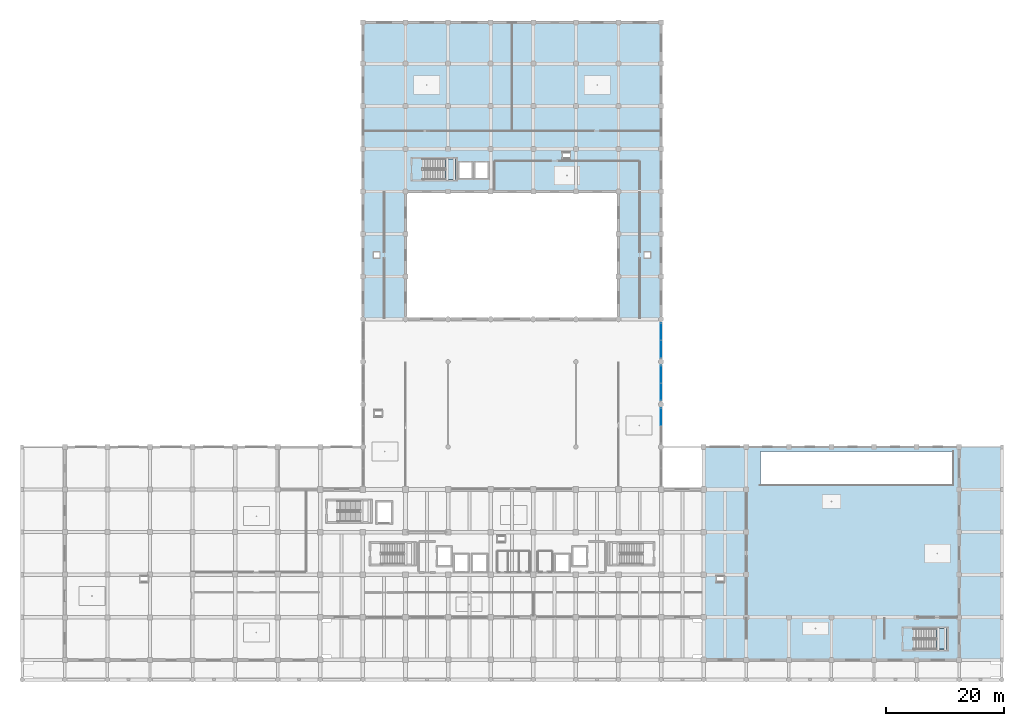
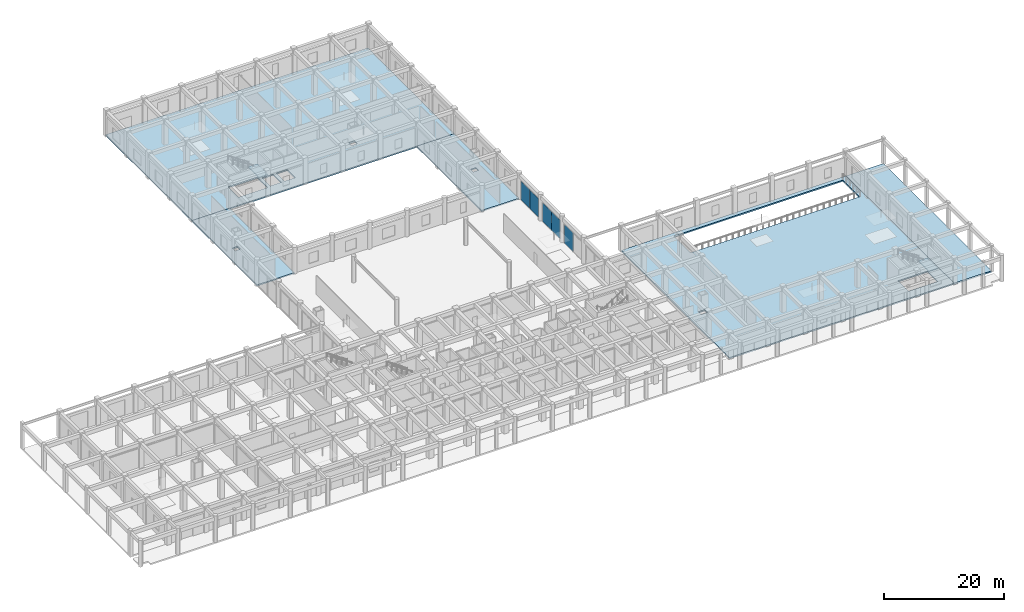
# One storey, part 24 of 56: 7 slabs, 5 plates, 5 elements without a shape of their own.
"""IFC4 building model written with IfcOpenShell, lengths in metres."""

from ifc_helpers import new_model, si_unit, direction, frame, origin, origin_2d, place, context, subcontext, project, spatial, polyline, rectangle, outline, extrude, material, layer, layer_set, type_object, element, aggregate, save


model = new_model("IFC4")

# Units and contexts
model_context = context("Model", 3, precision=1e-05, world=origin(), true_north=direction((0.0, 1.0)))
body_context = subcontext(model_context, "Body", "Model", "MODEL_VIEW")
ifc_project = project(units=[si_unit("LENGTHUNIT", "METRE"), si_unit("AREAUNIT", "SQUARE_METRE"), si_unit("VOLUMEUNIT", "CUBIC_METRE"), si_unit("PLANEANGLEUNIT", "RADIAN"), si_unit("MASSUNIT", "GRAM", prefix="KILO")], contexts=[model_context])

# Site, building, storey
site_placement = place(None, origin())
site = spatial("IfcSite", under=ifc_project, at=site_placement, CompositionType="ELEMENT")
building_placement = place(site_placement, origin())
building = spatial("IfcBuilding", under=site, at=building_placement, Name="Kazehaya Institute of Natural Sciences", CompositionType="ELEMENT")
storey_placement = place(building_placement, origin())
storey = spatial("IfcBuildingStorey", under=building, at=storey_placement, Name="L00", CompositionType="ELEMENT", Elevation=0.0)

# Curtain wall, plate
ifc_material_1 = material(Name="Aluminium alloy A6063S-T5", Category="aluminium")
curtain_wall_type = type_object("IfcCurtainWallType", Name="CW-SYS-01", PredefinedType="NOTDEFINED", material=ifc_material_1)
curtain_wall_1_placement = place(storey_placement, origin())
curtain_wall_1 = element("IfcCurtainWall", 1, at=curtain_wall_1_placement, inside=storey, type_object=curtain_wall_type, Name="L00 unitised curtain wall CW-L00-010", PredefinedType="NOTDEFINED")
ifc_material_2 = material(Name="Low-E double-glazed vision glass", Category="glass")
ifc_layer_1 = layer(ifc_material_2, 0.050048828125, Name="Low-E double-glazed vision glass", Category="glass")
ifc_layer_set_1 = layer_set([ifc_layer_1], Name="Low-E double-glazed vision glass")
plate_type_1 = type_object("IfcPlateType", Name="CWP-03", PredefinedType="CURTAIN_PANEL", material=ifc_layer_set_1)
plate_1_placement = place(storey_placement, frame((112.199951171875, 47.864990234375, 0.06005859375), z_axis=(0.0, 0.0, 1.0), x_axis=(0.0, -1.0, 0.0)))
plate_1 = element("IfcPlate", 2, at=plate_1_placement, type_object=plate_type_1, Name="CW01 panel 1.1", PredefinedType="CURTAIN_PANEL", context=body_context, shape_type="SweptSolid", body=[
    extrude(rectangle(XDim=2.8701171875, YDim=0.050048828125, at=origin_2d()), origin(), (0.0, 0.0, 1.0), 3.780029296875),
])
aggregate(curtain_wall_1, [plate_1])

# Curtain wall, plates
curtain_wall_2_placement = place(storey_placement, origin())
curtain_wall_2 = element("IfcCurtainWall", 3, at=curtain_wall_2_placement, inside=storey, type_object=curtain_wall_type, Name="L00 unitised curtain wall CW-L00-012", PredefinedType="NOTDEFINED")
ifc_layer_2 = layer(ifc_material_2, 0.06005859375, Name="Low-E double-glazed vision glass", Category="glass")
ifc_layer_set_2 = layer_set([ifc_layer_2], Name="Low-E double-glazed vision glass")
plate_type_2 = type_object("IfcPlateType", Name="CWP-04", PredefinedType="CURTAIN_PANEL", material=ifc_layer_set_2)
plate_2_placement = place(storey_placement, frame((112.199951171875, 55.06494140625, 0.06005859375), z_axis=(0.0, 0.0, 1.0), x_axis=(0.0, -1.0, 0.0)))
plate_2 = element("IfcPlate", 4, at=plate_2_placement, type_object=plate_type_2, Name="CW01 panel 1.1", PredefinedType="CURTAIN_PANEL", context=body_context, shape_type="SweptSolid", body=[
    extrude(rectangle(XDim=2.8701171875, YDim=0.06005859375, at=origin_2d()), origin(), (0.0, 0.0, 1.0), 3.780029296875),
])
plate_3_placement = place(storey_placement, frame((112.199951171875, 52.135009765625, 0.06005859375), z_axis=(0.0, 0.0, 1.0), x_axis=(0.0, -1.0, 0.0)))
plate_3 = element("IfcPlate", 5, at=plate_3_placement, type_object=plate_type_2, Name="CW01 panel 2.1", PredefinedType="CURTAIN_PANEL", context=body_context, shape_type="SweptSolid", body=[
    extrude(rectangle(XDim=2.8701171875, YDim=0.06005859375, at=origin_2d()), origin(), (0.0, 0.0, 1.0), 3.780029296875),
])
aggregate(curtain_wall_2, [plate_2, plate_3])

curtain_wall_3_placement = place(storey_placement, origin())
curtain_wall_3 = element("IfcCurtainWall", 6, at=curtain_wall_3_placement, inside=storey, type_object=curtain_wall_type, Name="L00 unitised curtain wall CW-L00-014", PredefinedType="NOTDEFINED")
ifc_material_3 = material(Name="Insulated bronze aluminium spandrel panel", Category="aluminium")
ifc_layer_3 = layer(ifc_material_3, 0.070068359375, Name="Insulated bronze aluminium spandrel panel", Category="aluminium")
ifc_layer_set_3 = layer_set([ifc_layer_3], Name="Insulated bronze aluminium spandrel panel")
plate_type_3 = type_object("IfcPlateType", Name="CWP-05", PredefinedType="CURTAIN_PANEL", material=ifc_layer_set_3)
plate_4_placement = place(storey_placement, frame((112.199951171875, 62.264892578125, 0.06005859375), z_axis=(0.0, 0.0, 1.0), x_axis=(0.0, -1.0, 0.0)))
plate_4 = element("IfcPlate", 7, at=plate_4_placement, type_object=plate_type_3, Name="CW01 panel 1.1", PredefinedType="CURTAIN_PANEL", context=body_context, shape_type="SweptSolid", body=[
    extrude(rectangle(XDim=2.8701171875, YDim=0.070068359375, at=origin_2d()), origin(), (0.0, 0.0, 1.0), 3.780029296875),
])
plate_5_placement = place(storey_placement, frame((112.199951171875, 59.3349609375, 0.06005859375), z_axis=(0.0, 0.0, 1.0), x_axis=(0.0, -1.0, 0.0)))
plate_5 = element("IfcPlate", 8, at=plate_5_placement, type_object=plate_type_3, Name="CW01 panel 2.1", PredefinedType="CURTAIN_PANEL", context=body_context, shape_type="SweptSolid", body=[
    extrude(rectangle(XDim=2.8701171875, YDim=0.070068359375, at=origin_2d()), origin(), (0.0, 0.0, 1.0), 3.780029296875),
])
aggregate(curtain_wall_3, [plate_4, plate_5])

# Slabs
ifc_material_4 = material(Name="Concrete Fc36", Category="concrete")
ifc_layer_4 = layer(ifc_material_4, 0.260009765625, Name="Concrete Fc36", Category="concrete")
ifc_layer_set_4 = layer_set([ifc_layer_4], Name="Concrete Fc36")
slab_type_1 = type_object("IfcSlabType", Name="SL-FLR-260", PredefinedType="FLOOR", material=ifc_layer_set_4)
slab_1_placement = place(storey_placement, frame((0.0, 0.0, -0.260009765625)))
element("IfcSlab", 9, at=slab_1_placement, inside=storey, type_object=slab_type_1, Name="L00 structural slab L00-VOL5W", PredefinedType="FLOOR", context=body_context, shape_type="SweptSolid", body=[
    extrude(outline(polyline([(61.800048828125, 64.39990234375), (69.0, 64.39990234375), (69.0, 86.0), (61.800048828125, 86.0), (61.800048828125, 64.39990234375)]), holes=[polyline([(63.60009765625, 74.800048828125), (64.60009765625, 74.800048828125), (64.60009765625, 75.699951171875), (63.60009765625, 75.699951171875), (63.60009765625, 74.800048828125)])]), origin(), (0.0, 0.0, 1.0), 0.260009765625),
])
slab_2_placement = place(storey_placement, frame((0.0, 0.0, -0.260009765625)))
element("IfcSlab", 10, at=slab_2_placement, inside=storey, type_object=slab_type_1, Name="L00 structural slab L00-VOL5E", PredefinedType="FLOOR", context=body_context, shape_type="SweptSolid", body=[
    extrude(outline(polyline([(105.0, 64.39990234375), (112.199951171875, 64.39990234375), (112.199951171875, 86.0), (105.0, 86.0), (105.0, 64.39990234375)]), holes=[polyline([(109.39990234375, 74.800048828125), (110.39990234375, 74.800048828125), (110.39990234375, 75.699951171875), (109.39990234375, 75.699951171875), (109.39990234375, 74.800048828125)])]), origin(), (0.0, 0.0, 1.0), 0.260009765625),
])
slab_3_placement = place(storey_placement, frame((0.0, 0.0, -0.260009765625)))
element("IfcSlab", 11, at=slab_3_placement, inside=storey, type_object=slab_type_1, Name="L00 structural slab L00-VOL5N", PredefinedType="FLOOR", context=body_context, shape_type="SweptSolid", body=[
    extrude(outline(polyline([(61.800048828125, 86.0), (112.199951171875, 86.0), (112.199951171875, 114.800048828125), (61.800048828125, 114.800048828125), (61.800048828125, 86.0)]), holes=[polyline([(95.60009765625, 91.60009765625), (96.800048828125, 91.60009765625), (96.800048828125, 92.5), (95.60009765625, 92.5), (95.60009765625, 91.60009765625)]), polyline([(71.860107421875, 88.0), (77.5, 88.0), (77.5, 91.47998046875), (71.860107421875, 91.47998046875), (71.860107421875, 88.0)]), polyline([(78.10009765625, 88.199951171875), (80.199951171875, 88.199951171875), (80.199951171875, 90.89990234375), (78.10009765625, 90.89990234375), (78.10009765625, 88.199951171875)]), polyline([(80.800048828125, 88.199951171875), (82.89990234375, 88.199951171875), (82.89990234375, 90.89990234375), (80.800048828125, 90.89990234375), (80.800048828125, 88.199951171875)])]), origin(), (0.0, 0.0, 1.0), 0.260009765625),
])
ifc_layer_5 = layer(ifc_material_4, 0.280029296875, Name="Concrete Fc36", Category="concrete")
ifc_layer_set_5 = layer_set([ifc_layer_5], Name="Concrete Fc36")
slab_type_2 = type_object("IfcSlabType", Name="SL-FLR-280", PredefinedType="FLOOR", material=ifc_layer_set_5)
slab_4_placement = place(storey_placement, frame((0.0, 0.0, -0.280029296875)))
element("IfcSlab", 12, at=slab_4_placement, inside=storey, type_object=slab_type_2, Name="L00 structural slab L00-VOL1", PredefinedType="FLOOR", context=body_context, shape_type="SweptSolid", body=[
    extrude(outline(polyline([(119.39990234375, 6.800048828125), (162.60009765625, 6.800048828125), (162.60009765625, 42.800048828125), (119.39990234375, 42.800048828125), (119.39990234375, 6.800048828125)]), holes=[polyline([(121.60009765625, 20.0), (122.800048828125, 20.0), (122.800048828125, 20.89990234375), (121.60009765625, 20.89990234375), (121.60009765625, 20.0)]), polyline([(154.860107421875, 8.60009765625), (160.5, 8.60009765625), (160.5, 12.080078125), (154.860107421875, 12.080078125), (154.860107421875, 8.60009765625)]), polyline([(129.0, 36.39990234375), (161.5, 36.39990234375), (161.5, 42.0), (129.0, 42.0), (129.0, 36.39990234375)])]), origin(), (0.0, 0.0, 1.0), 0.280029296875),
])
ifc_layer_6 = layer(ifc_material_4, 0.300048828125, Name="Concrete Fc36", Category="concrete")
ifc_layer_set_6 = layer_set([ifc_layer_6], Name="Concrete Fc36")
slab_type_3 = type_object("IfcSlabType", Name="SL-FLR-300", PredefinedType="FLOOR", material=ifc_layer_set_6)
slab_5_placement = place(storey_placement, frame((0.0, 0.0, -0.300048828125)))
element("IfcSlab", 13, at=slab_5_placement, inside=storey, type_object=slab_type_3, Name="L00 outdoor terrace slab EXT-L00-COLE", PredefinedType="FLOOR", context=body_context, shape_type="SweptSolid", body=[
    extrude(outline(polyline([(162.60009765625, 6.800048828125), (169.800048828125, 6.800048828125), (169.800048828125, 42.800048828125), (162.60009765625, 42.800048828125), (162.60009765625, 6.800048828125)])), origin(), (0.0, 0.0, 1.0), 0.300048828125),
])

# Stair, slab
stair_type = type_object("IfcStairType", Name="STR-DOG-5400", PredefinedType="HALF_TURN_STAIR", material=ifc_material_4)
stair_1_placement = place(storey_placement, origin())
stair_1 = element("IfcStair", 14, at=stair_1_placement, inside=storey, type_object=stair_type, Name="L00 Protected Escape Stair ST-3", PredefinedType="HALF_TURN_STAIR")
ifc_layer_7 = layer(ifc_material_4, 0.159912109375, Name="Concrete Fc36", Category="concrete")
ifc_layer_set_7 = layer_set([ifc_layer_7], Name="Concrete Fc36")
slab_type_4 = type_object("IfcSlabType", Name="SL-LND-160", PredefinedType="LANDING", material=ifc_layer_set_7)
slab_6_placement = place(storey_placement, frame((0.0, 0.0, 2.5)))
slab_6 = element("IfcSlab", 15, at=slab_6_placement, type_object=slab_type_4, Name="ST-3 landing 1", PredefinedType="LANDING", context=body_context, shape_type="SweptSolid", body=[
    extrude(outline(polyline([(75.780029296875, 88.0), (77.5, 88.0), (77.5, 91.47998046875), (75.780029296875, 91.47998046875), (75.780029296875, 88.0)])), origin(), (0.0, 0.0, 1.0), 0.199951171875),
])
aggregate(stair_1, [slab_6])

stair_2_placement = place(storey_placement, origin())
stair_2 = element("IfcStair", 16, at=stair_2_placement, inside=storey, type_object=stair_type, Name="L00 Protected Escape Stair ST-5", PredefinedType="HALF_TURN_STAIR")
slab_7_placement = place(storey_placement, frame((0.0, 0.0, 2.5)))
slab_7 = element("IfcSlab", 17, at=slab_7_placement, type_object=slab_type_4, Name="ST-5 landing 1", PredefinedType="LANDING", context=body_context, shape_type="SweptSolid", body=[
    extrude(outline(polyline([(158.780029296875, 8.60009765625), (160.5, 8.60009765625), (160.5, 12.080078125), (158.780029296875, 12.080078125), (158.780029296875, 8.60009765625)])), origin(), (0.0, 0.0, 1.0), 0.199951171875),
])
aggregate(stair_2, [slab_7])

save(model, "model.ifc")
